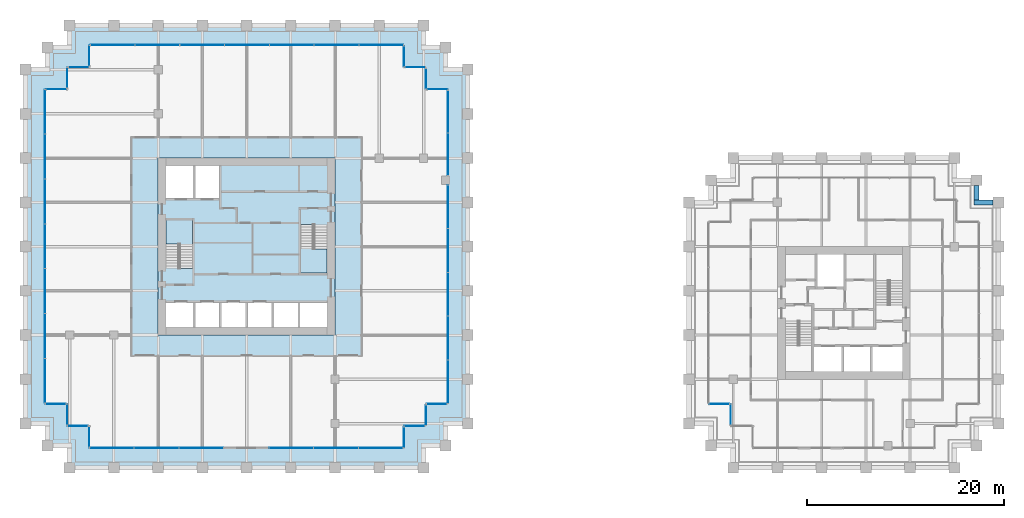
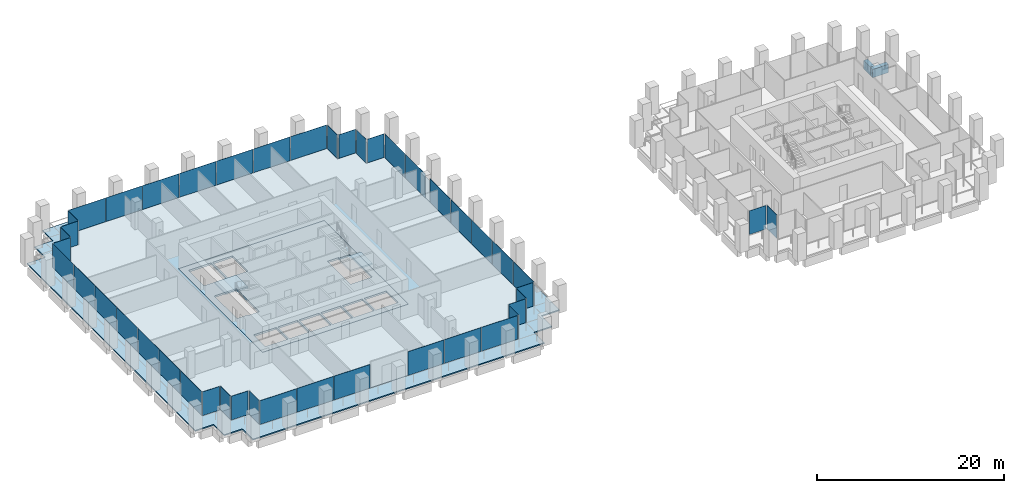
# One storey, part 48 of 56: 45 plates, 5 slabs, 2 beams, 26 elements without a shape of their own.
"""IFC4 building model written with IfcOpenShell, lengths in metres."""

from ifc_helpers import new_model, si_unit, direction, frame, origin, origin_2d, place, context, subcontext, project, spatial, polyline, rectangle, outline, extrude, material, layer, layer_set, material_profile, profile_set, type_object, element, aggregate, save


model = new_model("IFC4")

# Units and contexts
model_context = context("Model", 3, precision=1e-05, world=origin(), true_north=direction((0.0, 1.0)))
body_context = subcontext(model_context, "Body", "Model", "MODEL_VIEW")
ifc_project = project(units=[si_unit("LENGTHUNIT", "METRE"), si_unit("AREAUNIT", "SQUARE_METRE"), si_unit("VOLUMEUNIT", "CUBIC_METRE"), si_unit("PLANEANGLEUNIT", "RADIAN"), si_unit("MASSUNIT", "GRAM", prefix="KILO")], contexts=[model_context])

# Site, building, storey
site_placement = place(None, origin())
site = spatial("IfcSite", under=ifc_project, at=site_placement, CompositionType="ELEMENT")
building_placement = place(site_placement, origin())
building = spatial("IfcBuilding", under=site, at=building_placement, Name="Altepetl Exchange Towers", CompositionType="ELEMENT")
storey_placement = place(building_placement, frame((0.0, 0.0, 54.60009765625)))
storey = spatial("IfcBuildingStorey", under=building, at=storey_placement, Name="L12", CompositionType="ELEMENT", Elevation=54.60009765625)

# Beams
ifc_material_1 = material(Name="Concrete C50/60 precast with cantera amarilla facing", Category="concrete")
ifc_material_profile = material_profile(ifc_material_1, rectangle(XDim=0.5, YDim=1.10009765625, at=origin_2d()), Name="500 x 1100")
ifc_profile_set = profile_set([ifc_material_profile], Name="Concrete C50/60 precast with cantera amarilla facing")
beam_type = type_object("IfcBeamType", Name="Spandrel beam 500x1100 cantera amarilla", PredefinedType="SPANDREL", material=ifc_profile_set)
beam_1_placement = place(storey_placement, frame((125.449951171875, 54.0, -0.7001953125), z_axis=(-1.0, 0.0, 0.0), x_axis=(0.0, -1.0, 0.0)))
element("IfcBeam", 1, at=beam_1_placement, inside=storey, type_object=beam_type, Name="sp:B:L12:014", PredefinedType="SPANDREL", context=body_context, shape_type="SweptSolid", body=[
    extrude(rectangle(XDim=0.5, YDim=1.10009765625, at=origin_2d()), origin(), (0.0, 0.0, 1.0), 1.949951171875),
])
beam_2_placement = place(storey_placement, frame((123.75, 54.25, -0.7001953125), z_axis=(0.0, 1.0, 0.0), x_axis=(-1.0, 0.0, 0.0)))
element("IfcBeam", 2, at=beam_2_placement, inside=storey, type_object=beam_type, Name="sp:B:L12:015", PredefinedType="SPANDREL", context=body_context, shape_type="SweptSolid", body=[
    extrude(rectangle(XDim=0.5, YDim=1.10009765625, at=origin_2d()), origin(), (0.0, 0.0, 1.0), 1.449951171875),
])

# Slabs
ifc_material_2 = material(Name="Concrete C40/50", Category="concrete")
ifc_layer_1 = layer(ifc_material_2, 0.14990234375)
ifc_layer_set_1 = layer_set([ifc_layer_1], Name="Concrete C40/50")
slab_type_1 = type_object("IfcSlabType", Name="Composite floor slab 150", PredefinedType="FLOOR", material=ifc_layer_set_1)
slab_1_placement = place(storey_placement, frame((0.0, 0.0, -0.150146484375)))
element("IfcSlab", 3, at=slab_1_placement, inside=storey, type_object=slab_type_1, Name="slab:A:L12:strip0", PredefinedType="FLOOR", context=body_context, shape_type="SweptSolid", body=[
    extrude(outline(polyline([(31.25, 67.75), (31.25, 65.5), (29.0, 65.5), (29.0, 33.5), (31.25, 33.5), (31.25, 31.25), (33.5, 31.25), (33.5, 29.0), (65.5, 29.0), (65.5, 31.25), (67.75, 31.25), (67.75, 33.5), (70.0, 33.5), (70.0, 65.5), (67.75, 65.5), (67.75, 67.75), (65.5, 67.75), (65.5, 70.0), (33.5, 70.0), (33.5, 67.75), (31.25, 67.75)]), holes=[polyline([(58.5, 58.5), (58.5, 40.5), (40.5, 40.5), (40.5, 58.5), (58.5, 58.5)])]), origin(), (0.0, 0.0, 1.0), 0.150146484375),
])
ifc_layer_2 = layer(ifc_material_2, 0.25)
ifc_layer_set_2 = layer_set([ifc_layer_2], Name="Concrete C40/50")
slab_type_2 = type_object("IfcSlabType", Name="Core floor slab 250", PredefinedType="FLOOR", material=ifc_layer_set_2)
slab_2_placement = place(storey_placement, frame((0.0, 0.0, -0.25)))
element("IfcSlab", 4, at=slab_2_placement, inside=storey, type_object=slab_type_2, Name="slab:A:L12:core0", PredefinedType="FLOOR", context=body_context, shape_type="SweptSolid", body=[
    extrude(outline(polyline([(40.5, 40.5), (58.5, 40.5), (58.5, 58.5), (40.5, 58.5), (40.5, 40.5)]), holes=[polyline([(41.300048828125, 43.800048828125), (44.06689453125, 43.800048828125), (44.06689453125, 41.300048828125), (41.300048828125, 41.300048828125), (41.300048828125, 43.800048828125)]), polyline([(44.26708984375, 43.800048828125), (46.73291015625, 43.800048828125), (46.73291015625, 41.300048828125), (44.26708984375, 41.300048828125), (44.26708984375, 43.800048828125)]), polyline([(46.93310546875, 43.800048828125), (49.39990234375, 43.800048828125), (49.39990234375, 41.300048828125), (46.93310546875, 41.300048828125), (46.93310546875, 43.800048828125)]), polyline([(52.06689453125, 43.800048828125), (52.06689453125, 41.300048828125), (49.60009765625, 41.300048828125), (49.60009765625, 43.800048828125), (52.06689453125, 43.800048828125)]), polyline([(54.73291015625, 43.800048828125), (54.73291015625, 41.300048828125), (52.26708984375, 41.300048828125), (52.26708984375, 43.800048828125), (54.73291015625, 43.800048828125)]), polyline([(54.93310546875, 43.800048828125), (57.699951171875, 43.800048828125), (57.699951171875, 41.300048828125), (54.93310546875, 41.300048828125), (54.93310546875, 43.800048828125)]), polyline([(55.0, 51.7490234375), (56.39990234375, 51.7490234375), (56.39990234375, 51.64990234375), (57.699951171875, 51.64990234375), (57.699951171875, 46.800048828125), (55.0, 46.800048828125), (55.0, 51.7490234375)]), polyline([(44.0, 47.2509765625), (42.60009765625, 47.2509765625), (42.60009765625, 47.35009765625), (41.300048828125, 47.35009765625), (41.300048828125, 52.199951171875), (44.0, 52.199951171875), (44.0, 47.2509765625)]), polyline([(44.06689453125, 57.699951171875), (44.06689453125, 54.39990234375), (41.300048828125, 54.39990234375), (41.300048828125, 57.699951171875), (44.06689453125, 57.699951171875)]), polyline([(46.73291015625, 57.699951171875), (46.73291015625, 54.39990234375), (44.26708984375, 54.39990234375), (44.26708984375, 57.699951171875), (46.73291015625, 57.699951171875)])]), origin(), (0.0, 0.0, 1.0), 0.25),
])

# Curtain wall, plate
ifc_material_3 = material(Name="Aluminium 6063-T6 glazing", Category="aluminium")
curtain_wall_type = type_object("IfcCurtainWallType", Name="Loggia glazing system", PredefinedType="NOTDEFINED", material=ifc_material_3)
curtain_wall_1_placement = place(storey_placement, origin())
curtain_wall_1 = element("IfcCurtainWall", 5, at=curtain_wall_1_placement, inside=storey, type_object=curtain_wall_type, Name="CW1 run", PredefinedType="NOTDEFINED")
ifc_material_4 = material(Name="Glass 6-16-6 low emissivity", Category="glass")
ifc_layer_3 = layer(ifc_material_4, 0.028076171875)
ifc_layer_set_3 = layer_set([ifc_layer_3], Name="Glass 6-16-6 low emissivity")
plate_type = type_object("IfcPlateType", Name="Glass panel 28 double glazed", PredefinedType="CURTAIN_PANEL", material=ifc_layer_set_3)
plate_1_placement = place(storey_placement, frame((30.16259765625, 65.5, -0.000244140625), z_axis=(0.0, 0.0, 1.0), x_axis=(-1.0, 0.0, 0.0)))
plate_1 = element("IfcPlate", 6, at=plate_1_placement, type_object=plate_type, Name="GP1 panel", PredefinedType="CURTAIN_PANEL", context=body_context, shape_type="SweptSolid", body=[
    extrude(rectangle(XDim=2.054931640625, YDim=0.028076171875, at=origin_2d()), origin(), (0.0, 0.0, 1.0), 3.10009765625),
])
aggregate(curtain_wall_1, [plate_1])

# Curtain wall, plates
curtain_wall_2_placement = place(storey_placement, origin())
curtain_wall_2 = element("IfcCurtainWall", 7, at=curtain_wall_2_placement, inside=storey, type_object=curtain_wall_type, Name="CW1 run", PredefinedType="NOTDEFINED")
plate_2_placement = place(storey_placement, frame((29.0, 63.20458984375, -0.000244140625), z_axis=(0.0, 0.0, 1.0), x_axis=(0.0, -1.0, 0.0)))
plate_2 = element("IfcPlate", 8, at=plate_2_placement, type_object=plate_type, Name="GP1 panel", PredefinedType="CURTAIN_PANEL", context=body_context, shape_type="SweptSolid", body=[
    extrude(rectangle(XDim=4.470703125, YDim=0.028076171875, at=origin_2d()), origin(), (0.0, 0.0, 1.0), 3.10009765625),
])
plate_3_placement = place(storey_placement, frame((29.0, 58.658935546875, -0.000244140625), z_axis=(0.0, 0.0, 1.0), x_axis=(0.0, -1.0, 0.0)))
plate_3 = element("IfcPlate", 9, at=plate_3_placement, type_object=plate_type, Name="GP1 panel", PredefinedType="CURTAIN_PANEL", context=body_context, shape_type="SweptSolid", body=[
    extrude(rectangle(XDim=4.500732421875, YDim=0.028076171875, at=origin_2d()), origin(), (0.0, 0.0, 1.0), 3.10009765625),
])
plate_4_placement = place(storey_placement, frame((29.0, 54.09814453125, -0.000244140625), z_axis=(0.0, 0.0, 1.0), x_axis=(0.0, -1.0, 0.0)))
plate_4 = element("IfcPlate", 10, at=plate_4_placement, type_object=plate_type, Name="GP1 panel", PredefinedType="CURTAIN_PANEL", context=body_context, shape_type="SweptSolid", body=[
    extrude(rectangle(XDim=4.500732421875, YDim=0.028076171875, at=origin_2d()), origin(), (0.0, 0.0, 1.0), 3.10009765625),
])
plate_5_placement = place(storey_placement, frame((29.0, 49.53759765625, -0.000244140625), z_axis=(0.0, 0.0, 1.0), x_axis=(0.0, -1.0, 0.0)))
plate_5 = element("IfcPlate", 11, at=plate_5_placement, type_object=plate_type, Name="GP1 panel", PredefinedType="CURTAIN_PANEL", context=body_context, shape_type="SweptSolid", body=[
    extrude(rectangle(XDim=4.500732421875, YDim=0.028076171875, at=origin_2d()), origin(), (0.0, 0.0, 1.0), 3.10009765625),
])
plate_6_placement = place(storey_placement, frame((29.0, 44.976806640625, -0.000244140625), z_axis=(0.0, 0.0, 1.0), x_axis=(0.0, -1.0, 0.0)))
plate_6 = element("IfcPlate", 12, at=plate_6_placement, type_object=plate_type, Name="GP1 panel", PredefinedType="CURTAIN_PANEL", context=body_context, shape_type="SweptSolid", body=[
    extrude(rectangle(XDim=4.500732421875, YDim=0.028076171875, at=origin_2d()), origin(), (0.0, 0.0, 1.0), 3.10009765625),
])
plate_7_placement = place(storey_placement, frame((29.0, 40.416015625, -0.000244140625), z_axis=(0.0, 0.0, 1.0), x_axis=(0.0, -1.0, 0.0)))
plate_7 = element("IfcPlate", 13, at=plate_7_placement, type_object=plate_type, Name="GP1 panel", PredefinedType="CURTAIN_PANEL", context=body_context, shape_type="SweptSolid", body=[
    extrude(rectangle(XDim=4.500732421875, YDim=0.028076171875, at=origin_2d()), origin(), (0.0, 0.0, 1.0), 3.10009765625),
])
plate_8_placement = place(storey_placement, frame((29.0, 35.870361328125, -0.000244140625), z_axis=(0.0, 0.0, 1.0), x_axis=(0.0, -1.0, 0.0)))
plate_8 = element("IfcPlate", 14, at=plate_8_placement, type_object=plate_type, Name="GP1 panel", PredefinedType="CURTAIN_PANEL", context=body_context, shape_type="SweptSolid", body=[
    extrude(rectangle(XDim=4.470703125, YDim=0.028076171875, at=origin_2d()), origin(), (0.0, 0.0, 1.0), 3.10009765625),
])
aggregate(curtain_wall_2, [plate_2, plate_3, plate_4, plate_5, plate_6, plate_7, plate_8])

# Curtain wall, plate
curtain_wall_3_placement = place(storey_placement, origin())
curtain_wall_3 = element("IfcCurtainWall", 15, at=curtain_wall_3_placement, inside=storey, type_object=curtain_wall_type, Name="CW1 run", PredefinedType="NOTDEFINED")
plate_9_placement = place(storey_placement, frame((30.08740234375, 33.5, -0.000244140625)))
plate_9 = element("IfcPlate", 16, at=plate_9_placement, type_object=plate_type, Name="GP1 panel", PredefinedType="CURTAIN_PANEL", context=body_context, shape_type="SweptSolid", body=[
    extrude(rectangle(XDim=2.054931640625, YDim=0.028076171875, at=origin_2d()), origin(), (0.0, 0.0, 1.0), 3.10009765625),
])
aggregate(curtain_wall_3, [plate_9])

curtain_wall_4_placement = place(storey_placement, origin())
curtain_wall_4 = element("IfcCurtainWall", 17, at=curtain_wall_4_placement, inside=storey, type_object=curtain_wall_type, Name="CW1 run", PredefinedType="NOTDEFINED")
plate_10_placement = place(storey_placement, frame((31.25, 32.41259765625, -0.000244140625), z_axis=(0.0, 0.0, 1.0), x_axis=(0.0, -1.0, 0.0)))
plate_10 = element("IfcPlate", 18, at=plate_10_placement, type_object=plate_type, Name="GP1 panel", PredefinedType="CURTAIN_PANEL", context=body_context, shape_type="SweptSolid", body=[
    extrude(rectangle(XDim=2.054931640625, YDim=0.028076171875, at=origin_2d()), origin(), (0.0, 0.0, 1.0), 3.10009765625),
])
aggregate(curtain_wall_4, [plate_10])

curtain_wall_5_placement = place(storey_placement, origin())
curtain_wall_5 = element("IfcCurtainWall", 19, at=curtain_wall_5_placement, inside=storey, type_object=curtain_wall_type, Name="CW1 run", PredefinedType="NOTDEFINED")
plate_11_placement = place(storey_placement, frame((32.33740234375, 31.25, -0.000244140625)))
plate_11 = element("IfcPlate", 20, at=plate_11_placement, type_object=plate_type, Name="GP1 panel", PredefinedType="CURTAIN_PANEL", context=body_context, shape_type="SweptSolid", body=[
    extrude(rectangle(XDim=2.054931640625, YDim=0.028076171875, at=origin_2d()), origin(), (0.0, 0.0, 1.0), 3.10009765625),
])
aggregate(curtain_wall_5, [plate_11])

curtain_wall_6_placement = place(storey_placement, origin())
curtain_wall_6 = element("IfcCurtainWall", 21, at=curtain_wall_6_placement, inside=storey, type_object=curtain_wall_type, Name="CW1 run", PredefinedType="NOTDEFINED")
plate_12_placement = place(storey_placement, frame((33.5, 30.16259765625, -0.000244140625), z_axis=(0.0, 0.0, 1.0), x_axis=(0.0, -1.0, 0.0)))
plate_12 = element("IfcPlate", 22, at=plate_12_placement, type_object=plate_type, Name="GP1 panel", PredefinedType="CURTAIN_PANEL", context=body_context, shape_type="SweptSolid", body=[
    extrude(rectangle(XDim=2.054931640625, YDim=0.028076171875, at=origin_2d()), origin(), (0.0, 0.0, 1.0), 3.10009765625),
])
aggregate(curtain_wall_6, [plate_12])

# Curtain wall, plates
curtain_wall_7_placement = place(storey_placement, origin())
curtain_wall_7 = element("IfcCurtainWall", 23, at=curtain_wall_7_placement, inside=storey, type_object=curtain_wall_type, Name="CW1 run", PredefinedType="NOTDEFINED")
plate_13_placement = place(storey_placement, frame((35.79541015625, 29.0, -0.000244140625)))
plate_13 = element("IfcPlate", 24, at=plate_13_placement, type_object=plate_type, Name="GP1 panel", PredefinedType="CURTAIN_PANEL", context=body_context, shape_type="SweptSolid", body=[
    extrude(rectangle(XDim=4.470703125, YDim=0.028076171875, at=origin_2d()), origin(), (0.0, 0.0, 1.0), 3.10009765625),
])
plate_14_placement = place(storey_placement, frame((40.341064453125, 29.0, -0.000244140625)))
plate_14 = element("IfcPlate", 25, at=plate_14_placement, type_object=plate_type, Name="GP1 panel", PredefinedType="CURTAIN_PANEL", context=body_context, shape_type="SweptSolid", body=[
    extrude(rectangle(XDim=4.500732421875, YDim=0.028076171875, at=origin_2d()), origin(), (0.0, 0.0, 1.0), 3.10009765625),
])
plate_15_placement = place(storey_placement, frame((44.88671875, 29.0, -0.000244140625)))
plate_15 = element("IfcPlate", 26, at=plate_15_placement, type_object=plate_type, Name="GP1 panel", PredefinedType="CURTAIN_PANEL", context=body_context, shape_type="SweptSolid", body=[
    extrude(rectangle(XDim=4.470703125, YDim=0.028076171875, at=origin_2d()), origin(), (0.0, 0.0, 1.0), 3.10009765625),
])
aggregate(curtain_wall_7, [plate_13, plate_14, plate_15])

curtain_wall_8_placement = place(storey_placement, origin())
curtain_wall_8 = element("IfcCurtainWall", 27, at=curtain_wall_8_placement, inside=storey, type_object=curtain_wall_type, Name="CW1 run", PredefinedType="NOTDEFINED")
plate_16_placement = place(storey_placement, frame((54.038330078125, 29.0, -0.000244140625)))
plate_16 = element("IfcPlate", 28, at=plate_16_placement, type_object=plate_type, Name="GP1 panel", PredefinedType="CURTAIN_PANEL", context=body_context, shape_type="SweptSolid", body=[
    extrude(rectangle(XDim=4.470703125, YDim=0.028076171875, at=origin_2d()), origin(), (0.0, 0.0, 1.0), 3.10009765625),
])
plate_17_placement = place(storey_placement, frame((58.583984375, 29.0, -0.000244140625)))
plate_17 = element("IfcPlate", 29, at=plate_17_placement, type_object=plate_type, Name="GP1 panel", PredefinedType="CURTAIN_PANEL", context=body_context, shape_type="SweptSolid", body=[
    extrude(rectangle(XDim=4.500732421875, YDim=0.028076171875, at=origin_2d()), origin(), (0.0, 0.0, 1.0), 3.10009765625),
])
plate_18_placement = place(storey_placement, frame((63.129638671875, 29.0, -0.000244140625)))
plate_18 = element("IfcPlate", 30, at=plate_18_placement, type_object=plate_type, Name="GP1 panel", PredefinedType="CURTAIN_PANEL", context=body_context, shape_type="SweptSolid", body=[
    extrude(rectangle(XDim=4.470703125, YDim=0.028076171875, at=origin_2d()), origin(), (0.0, 0.0, 1.0), 3.10009765625),
])
aggregate(curtain_wall_8, [plate_16, plate_17, plate_18])

# Curtain wall, plate
curtain_wall_9_placement = place(storey_placement, origin())
curtain_wall_9 = element("IfcCurtainWall", 31, at=curtain_wall_9_placement, inside=storey, type_object=curtain_wall_type, Name="CW1 run", PredefinedType="NOTDEFINED")
plate_19_placement = place(storey_placement, frame((65.5, 30.08740234375, -0.000244140625), z_axis=(0.0, 0.0, 1.0), x_axis=(0.0, 1.0, 0.0)))
plate_19 = element("IfcPlate", 32, at=plate_19_placement, type_object=plate_type, Name="GP1 panel", PredefinedType="CURTAIN_PANEL", context=body_context, shape_type="SweptSolid", body=[
    extrude(rectangle(XDim=2.054931640625, YDim=0.028076171875, at=origin_2d()), origin(), (0.0, 0.0, 1.0), 3.10009765625),
])
aggregate(curtain_wall_9, [plate_19])

curtain_wall_10_placement = place(storey_placement, origin())
curtain_wall_10 = element("IfcCurtainWall", 33, at=curtain_wall_10_placement, inside=storey, type_object=curtain_wall_type, Name="CW1 run", PredefinedType="NOTDEFINED")
plate_20_placement = place(storey_placement, frame((66.58740234375, 31.25, -0.000244140625)))
plate_20 = element("IfcPlate", 34, at=plate_20_placement, type_object=plate_type, Name="GP1 panel", PredefinedType="CURTAIN_PANEL", context=body_context, shape_type="SweptSolid", body=[
    extrude(rectangle(XDim=2.054931640625, YDim=0.028076171875, at=origin_2d()), origin(), (0.0, 0.0, 1.0), 3.10009765625),
])
aggregate(curtain_wall_10, [plate_20])

curtain_wall_11_placement = place(storey_placement, origin())
curtain_wall_11 = element("IfcCurtainWall", 35, at=curtain_wall_11_placement, inside=storey, type_object=curtain_wall_type, Name="CW1 run", PredefinedType="NOTDEFINED")
plate_21_placement = place(storey_placement, frame((67.75, 32.33740234375, -0.000244140625), z_axis=(0.0, 0.0, 1.0), x_axis=(0.0, 1.0, 0.0)))
plate_21 = element("IfcPlate", 36, at=plate_21_placement, type_object=plate_type, Name="GP1 panel", PredefinedType="CURTAIN_PANEL", context=body_context, shape_type="SweptSolid", body=[
    extrude(rectangle(XDim=2.054931640625, YDim=0.028076171875, at=origin_2d()), origin(), (0.0, 0.0, 1.0), 3.10009765625),
])
aggregate(curtain_wall_11, [plate_21])

curtain_wall_12_placement = place(storey_placement, origin())
curtain_wall_12 = element("IfcCurtainWall", 37, at=curtain_wall_12_placement, inside=storey, type_object=curtain_wall_type, Name="CW1 run", PredefinedType="NOTDEFINED")
plate_22_placement = place(storey_placement, frame((68.83740234375, 33.5, -0.000244140625)))
plate_22 = element("IfcPlate", 38, at=plate_22_placement, type_object=plate_type, Name="GP1 panel", PredefinedType="CURTAIN_PANEL", context=body_context, shape_type="SweptSolid", body=[
    extrude(rectangle(XDim=2.054931640625, YDim=0.028076171875, at=origin_2d()), origin(), (0.0, 0.0, 1.0), 3.10009765625),
])
aggregate(curtain_wall_12, [plate_22])

# Curtain wall, plates
curtain_wall_13_placement = place(storey_placement, origin())
curtain_wall_13 = element("IfcCurtainWall", 39, at=curtain_wall_13_placement, inside=storey, type_object=curtain_wall_type, Name="CW1 run", PredefinedType="NOTDEFINED")
plate_23_placement = place(storey_placement, frame((70.0, 35.74560546875, -0.000244140625), z_axis=(0.0, 0.0, 1.0), x_axis=(0.0, 1.0, 0.0)))
plate_23 = element("IfcPlate", 40, at=plate_23_placement, type_object=plate_type, Name="GP1 panel", PredefinedType="CURTAIN_PANEL", context=body_context, shape_type="SweptSolid", body=[
    extrude(rectangle(XDim=4.37109375, YDim=0.028076171875, at=origin_2d()), origin(), (0.0, 0.0, 1.0), 3.10009765625),
])
plate_24_placement = place(storey_placement, frame((70.0, 40.19140625, -0.000244140625), z_axis=(0.0, 0.0, 1.0), x_axis=(0.0, 1.0, 0.0)))
plate_24 = element("IfcPlate", 41, at=plate_24_placement, type_object=plate_type, Name="GP1 panel", PredefinedType="CURTAIN_PANEL", context=body_context, shape_type="SweptSolid", body=[
    extrude(rectangle(XDim=4.40087890625, YDim=0.028076171875, at=origin_2d()), origin(), (0.0, 0.0, 1.0), 3.10009765625),
])
plate_25_placement = place(storey_placement, frame((70.0, 44.652587890625, -0.000244140625), z_axis=(0.0, 0.0, 1.0), x_axis=(0.0, 1.0, 0.0)))
plate_25 = element("IfcPlate", 42, at=plate_25_placement, type_object=plate_type, Name="GP1 panel", PredefinedType="CURTAIN_PANEL", context=body_context, shape_type="SweptSolid", body=[
    extrude(rectangle(XDim=4.40087890625, YDim=0.028076171875, at=origin_2d()), origin(), (0.0, 0.0, 1.0), 3.10009765625),
])
plate_26_placement = place(storey_placement, frame((70.0, 49.113525390625, -0.000244140625), z_axis=(0.0, 0.0, 1.0), x_axis=(0.0, 1.0, 0.0)))
plate_26 = element("IfcPlate", 43, at=plate_26_placement, type_object=plate_type, Name="GP1 panel", PredefinedType="CURTAIN_PANEL", context=body_context, shape_type="SweptSolid", body=[
    extrude(rectangle(XDim=4.40087890625, YDim=0.028076171875, at=origin_2d()), origin(), (0.0, 0.0, 1.0), 3.10009765625),
])
plate_27_placement = place(storey_placement, frame((70.0, 53.5595703125, -0.000244140625), z_axis=(0.0, 0.0, 1.0), x_axis=(0.0, 1.0, 0.0)))
plate_27 = element("IfcPlate", 44, at=plate_27_placement, type_object=plate_type, Name="GP1 panel", PredefinedType="CURTAIN_PANEL", context=body_context, shape_type="SweptSolid", body=[
    extrude(rectangle(XDim=4.37109375, YDim=0.028076171875, at=origin_2d()), origin(), (0.0, 0.0, 1.0), 3.10009765625),
])
aggregate(curtain_wall_13, [plate_23, plate_24, plate_25, plate_26, plate_27])

curtain_wall_14_placement = place(storey_placement, origin())
curtain_wall_14 = element("IfcCurtainWall", 45, at=curtain_wall_14_placement, inside=storey, type_object=curtain_wall_type, Name="CW1 run", PredefinedType="NOTDEFINED")
plate_28_placement = place(storey_placement, frame((70.0, 58.892578125, -0.000244140625), z_axis=(0.0, 0.0, 1.0), x_axis=(0.0, 1.0, 0.0)))
plate_28 = element("IfcPlate", 46, at=plate_28_placement, type_object=plate_type, Name="GP1 panel", PredefinedType="CURTAIN_PANEL", context=body_context, shape_type="SweptSolid", body=[
    extrude(rectangle(XDim=4.27490234375, YDim=0.028076171875, at=origin_2d()), origin(), (0.0, 0.0, 1.0), 3.10009765625),
])
plate_29_placement = place(storey_placement, frame((70.0, 63.2275390625, -0.000244140625), z_axis=(0.0, 0.0, 1.0), x_axis=(0.0, 1.0, 0.0)))
plate_29 = element("IfcPlate", 47, at=plate_29_placement, type_object=plate_type, Name="GP1 panel", PredefinedType="CURTAIN_PANEL", context=body_context, shape_type="SweptSolid", body=[
    extrude(rectangle(XDim=4.27490234375, YDim=0.028076171875, at=origin_2d()), origin(), (0.0, 0.0, 1.0), 3.10009765625),
])
aggregate(curtain_wall_14, [plate_28, plate_29])

# Curtain wall, plate
curtain_wall_15_placement = place(storey_placement, origin())
curtain_wall_15 = element("IfcCurtainWall", 48, at=curtain_wall_15_placement, inside=storey, type_object=curtain_wall_type, Name="CW1 run", PredefinedType="NOTDEFINED")
plate_30_placement = place(storey_placement, frame((68.91259765625, 65.5, -0.000244140625), z_axis=(0.0, 0.0, 1.0), x_axis=(-1.0, 0.0, 0.0)))
plate_30 = element("IfcPlate", 49, at=plate_30_placement, type_object=plate_type, Name="GP1 panel", PredefinedType="CURTAIN_PANEL", context=body_context, shape_type="SweptSolid", body=[
    extrude(rectangle(XDim=2.054931640625, YDim=0.028076171875, at=origin_2d()), origin(), (0.0, 0.0, 1.0), 3.10009765625),
])
aggregate(curtain_wall_15, [plate_30])

curtain_wall_16_placement = place(storey_placement, origin())
curtain_wall_16 = element("IfcCurtainWall", 50, at=curtain_wall_16_placement, inside=storey, type_object=curtain_wall_type, Name="CW1 run", PredefinedType="NOTDEFINED")
plate_31_placement = place(storey_placement, frame((67.75, 66.58740234375, -0.000244140625), z_axis=(0.0, 0.0, 1.0), x_axis=(0.0, 1.0, 0.0)))
plate_31 = element("IfcPlate", 51, at=plate_31_placement, type_object=plate_type, Name="GP1 panel", PredefinedType="CURTAIN_PANEL", context=body_context, shape_type="SweptSolid", body=[
    extrude(rectangle(XDim=2.054931640625, YDim=0.028076171875, at=origin_2d()), origin(), (0.0, 0.0, 1.0), 3.10009765625),
])
aggregate(curtain_wall_16, [plate_31])

curtain_wall_17_placement = place(storey_placement, origin())
curtain_wall_17 = element("IfcCurtainWall", 52, at=curtain_wall_17_placement, inside=storey, type_object=curtain_wall_type, Name="CW1 run", PredefinedType="NOTDEFINED")
plate_32_placement = place(storey_placement, frame((66.66259765625, 67.75, -0.000244140625), z_axis=(0.0, 0.0, 1.0), x_axis=(-1.0, 0.0, 0.0)))
plate_32 = element("IfcPlate", 53, at=plate_32_placement, type_object=plate_type, Name="GP1 panel", PredefinedType="CURTAIN_PANEL", context=body_context, shape_type="SweptSolid", body=[
    extrude(rectangle(XDim=2.054931640625, YDim=0.028076171875, at=origin_2d()), origin(), (0.0, 0.0, 1.0), 3.10009765625),
])
aggregate(curtain_wall_17, [plate_32])

curtain_wall_18_placement = place(storey_placement, origin())
curtain_wall_18 = element("IfcCurtainWall", 54, at=curtain_wall_18_placement, inside=storey, type_object=curtain_wall_type, Name="CW1 run", PredefinedType="NOTDEFINED")
plate_33_placement = place(storey_placement, frame((65.5, 68.83740234375, -0.000244140625), z_axis=(0.0, 0.0, 1.0), x_axis=(0.0, 1.0, 0.0)))
plate_33 = element("IfcPlate", 55, at=plate_33_placement, type_object=plate_type, Name="GP1 panel", PredefinedType="CURTAIN_PANEL", context=body_context, shape_type="SweptSolid", body=[
    extrude(rectangle(XDim=2.054931640625, YDim=0.028076171875, at=origin_2d()), origin(), (0.0, 0.0, 1.0), 3.10009765625),
])
aggregate(curtain_wall_18, [plate_33])

# Curtain wall, plates
curtain_wall_19_placement = place(storey_placement, origin())
curtain_wall_19 = element("IfcCurtainWall", 56, at=curtain_wall_19_placement, inside=storey, type_object=curtain_wall_type, Name="CW1 run", PredefinedType="NOTDEFINED")
plate_34_placement = place(storey_placement, frame((63.20458984375, 70.0, -0.000244140625), z_axis=(0.0, 0.0, 1.0), x_axis=(-1.0, 0.0, 0.0)))
plate_34 = element("IfcPlate", 57, at=plate_34_placement, type_object=plate_type, Name="GP1 panel", PredefinedType="CURTAIN_PANEL", context=body_context, shape_type="SweptSolid", body=[
    extrude(rectangle(XDim=4.470703125, YDim=0.028076171875, at=origin_2d()), origin(), (0.0, 0.0, 1.0), 3.10009765625),
])
plate_35_placement = place(storey_placement, frame((58.658935546875, 70.0, -0.000244140625), z_axis=(0.0, 0.0, 1.0), x_axis=(-1.0, 0.0, 0.0)))
plate_35 = element("IfcPlate", 58, at=plate_35_placement, type_object=plate_type, Name="GP1 panel", PredefinedType="CURTAIN_PANEL", context=body_context, shape_type="SweptSolid", body=[
    extrude(rectangle(XDim=4.500732421875, YDim=0.028076171875, at=origin_2d()), origin(), (0.0, 0.0, 1.0), 3.10009765625),
])
plate_36_placement = place(storey_placement, frame((54.09814453125, 70.0, -0.000244140625), z_axis=(0.0, 0.0, 1.0), x_axis=(-1.0, 0.0, 0.0)))
plate_36 = element("IfcPlate", 59, at=plate_36_placement, type_object=plate_type, Name="GP1 panel", PredefinedType="CURTAIN_PANEL", context=body_context, shape_type="SweptSolid", body=[
    extrude(rectangle(XDim=4.500732421875, YDim=0.028076171875, at=origin_2d()), origin(), (0.0, 0.0, 1.0), 3.10009765625),
])
plate_37_placement = place(storey_placement, frame((49.53759765625, 70.0, -0.000244140625), z_axis=(0.0, 0.0, 1.0), x_axis=(-1.0, 0.0, 0.0)))
plate_37 = element("IfcPlate", 60, at=plate_37_placement, type_object=plate_type, Name="GP1 panel", PredefinedType="CURTAIN_PANEL", context=body_context, shape_type="SweptSolid", body=[
    extrude(rectangle(XDim=4.500732421875, YDim=0.028076171875, at=origin_2d()), origin(), (0.0, 0.0, 1.0), 3.10009765625),
])
plate_38_placement = place(storey_placement, frame((44.976806640625, 70.0, -0.000244140625), z_axis=(0.0, 0.0, 1.0), x_axis=(-1.0, 0.0, 0.0)))
plate_38 = element("IfcPlate", 61, at=plate_38_placement, type_object=plate_type, Name="GP1 panel", PredefinedType="CURTAIN_PANEL", context=body_context, shape_type="SweptSolid", body=[
    extrude(rectangle(XDim=4.500732421875, YDim=0.028076171875, at=origin_2d()), origin(), (0.0, 0.0, 1.0), 3.10009765625),
])
plate_39_placement = place(storey_placement, frame((40.416015625, 70.0, -0.000244140625), z_axis=(0.0, 0.0, 1.0), x_axis=(-1.0, 0.0, 0.0)))
plate_39 = element("IfcPlate", 62, at=plate_39_placement, type_object=plate_type, Name="GP1 panel", PredefinedType="CURTAIN_PANEL", context=body_context, shape_type="SweptSolid", body=[
    extrude(rectangle(XDim=4.500732421875, YDim=0.028076171875, at=origin_2d()), origin(), (0.0, 0.0, 1.0), 3.10009765625),
])
plate_40_placement = place(storey_placement, frame((35.870361328125, 70.0, -0.000244140625), z_axis=(0.0, 0.0, 1.0), x_axis=(-1.0, 0.0, 0.0)))
plate_40 = element("IfcPlate", 63, at=plate_40_placement, type_object=plate_type, Name="GP1 panel", PredefinedType="CURTAIN_PANEL", context=body_context, shape_type="SweptSolid", body=[
    extrude(rectangle(XDim=4.470703125, YDim=0.028076171875, at=origin_2d()), origin(), (0.0, 0.0, 1.0), 3.10009765625),
])
aggregate(curtain_wall_19, [plate_34, plate_35, plate_36, plate_37, plate_38, plate_39, plate_40])

# Curtain wall, plate
curtain_wall_20_placement = place(storey_placement, origin())
curtain_wall_20 = element("IfcCurtainWall", 64, at=curtain_wall_20_placement, inside=storey, type_object=curtain_wall_type, Name="CW1 run", PredefinedType="NOTDEFINED")
plate_41_placement = place(storey_placement, frame((33.5, 68.91259765625, -0.000244140625), z_axis=(0.0, 0.0, 1.0), x_axis=(0.0, -1.0, 0.0)))
plate_41 = element("IfcPlate", 65, at=plate_41_placement, type_object=plate_type, Name="GP1 panel", PredefinedType="CURTAIN_PANEL", context=body_context, shape_type="SweptSolid", body=[
    extrude(rectangle(XDim=2.054931640625, YDim=0.028076171875, at=origin_2d()), origin(), (0.0, 0.0, 1.0), 3.10009765625),
])
aggregate(curtain_wall_20, [plate_41])

curtain_wall_21_placement = place(storey_placement, origin())
curtain_wall_21 = element("IfcCurtainWall", 66, at=curtain_wall_21_placement, inside=storey, type_object=curtain_wall_type, Name="CW1 run", PredefinedType="NOTDEFINED")
plate_42_placement = place(storey_placement, frame((32.41259765625, 67.75, -0.000244140625), z_axis=(0.0, 0.0, 1.0), x_axis=(-1.0, 0.0, 0.0)))
plate_42 = element("IfcPlate", 67, at=plate_42_placement, type_object=plate_type, Name="GP1 panel", PredefinedType="CURTAIN_PANEL", context=body_context, shape_type="SweptSolid", body=[
    extrude(rectangle(XDim=2.054931640625, YDim=0.028076171875, at=origin_2d()), origin(), (0.0, 0.0, 1.0), 3.10009765625),
])
aggregate(curtain_wall_21, [plate_42])

curtain_wall_22_placement = place(storey_placement, origin())
curtain_wall_22 = element("IfcCurtainWall", 68, at=curtain_wall_22_placement, inside=storey, type_object=curtain_wall_type, Name="CW1 run", PredefinedType="NOTDEFINED")
plate_43_placement = place(storey_placement, frame((31.25, 66.66259765625, -0.000244140625), z_axis=(0.0, 0.0, 1.0), x_axis=(0.0, -1.0, 0.0)))
plate_43 = element("IfcPlate", 69, at=plate_43_placement, type_object=plate_type, Name="GP1 panel", PredefinedType="CURTAIN_PANEL", context=body_context, shape_type="SweptSolid", body=[
    extrude(rectangle(XDim=2.054931640625, YDim=0.028076171875, at=origin_2d()), origin(), (0.0, 0.0, 1.0), 3.10009765625),
])
aggregate(curtain_wall_22, [plate_43])

curtain_wall_23_placement = place(storey_placement, origin())
curtain_wall_23 = element("IfcCurtainWall", 70, at=curtain_wall_23_placement, inside=storey, type_object=curtain_wall_type, Name="CW1 run", PredefinedType="NOTDEFINED")
plate_44_placement = place(storey_placement, frame((97.58740234375, 33.5, -0.000244140625)))
plate_44 = element("IfcPlate", 71, at=plate_44_placement, type_object=plate_type, Name="GP1 panel", PredefinedType="CURTAIN_PANEL", context=body_context, shape_type="SweptSolid", body=[
    extrude(rectangle(XDim=2.054931640625, YDim=0.028076171875, at=origin_2d()), origin(), (0.0, 0.0, 1.0), 3.10009765625),
])
aggregate(curtain_wall_23, [plate_44])

curtain_wall_24_placement = place(storey_placement, origin())
curtain_wall_24 = element("IfcCurtainWall", 72, at=curtain_wall_24_placement, inside=storey, type_object=curtain_wall_type, Name="CW1 run", PredefinedType="NOTDEFINED")
plate_45_placement = place(storey_placement, frame((98.75, 32.41259765625, -0.000244140625), z_axis=(0.0, 0.0, 1.0), x_axis=(0.0, -1.0, 0.0)))
plate_45 = element("IfcPlate", 73, at=plate_45_placement, type_object=plate_type, Name="GP1 panel", PredefinedType="CURTAIN_PANEL", context=body_context, shape_type="SweptSolid", body=[
    extrude(rectangle(XDim=2.054931640625, YDim=0.028076171875, at=origin_2d()), origin(), (0.0, 0.0, 1.0), 3.10009765625),
])
aggregate(curtain_wall_24, [plate_45])

# Slab
ifc_layer_4 = layer(ifc_material_2, 0.14990234375)
ifc_layer_set_4 = layer_set([ifc_layer_4], Name="Concrete C40/50")
slab_type_3 = type_object("IfcSlabType", Name="Loggia slab 150", PredefinedType="FLOOR", material=ifc_layer_set_4)
slab_3_placement = place(storey_placement, frame((0.0, 0.0, -0.150146484375)))
element("IfcSlab", 74, at=slab_3_placement, inside=storey, type_object=slab_type_3, Name="slab:A:L12:loggia0", PredefinedType="FLOOR", context=body_context, shape_type="SweptSolid", body=[
    extrude(outline(polyline([(29.25, 67.5), (27.0, 67.5), (27.0, 40.5), (27.0, 31.5), (29.25, 31.5), (29.25, 29.25), (31.5, 29.25), (31.5, 27.0), (58.5, 27.0), (67.5, 27.0), (67.5, 29.25), (69.75, 29.25), (69.75, 31.5), (72.0, 31.5), (72.0, 58.5), (72.0, 67.5), (69.75, 67.5), (69.75, 69.75), (67.5, 69.75), (67.5, 72.0), (40.5, 72.0), (31.5, 72.0), (31.5, 69.75), (29.25, 69.75), (29.25, 67.5)]), holes=[polyline([(29.0, 65.5), (31.25, 65.5), (31.25, 67.75), (33.5, 67.75), (33.5, 70.0), (65.5, 70.0), (65.5, 67.75), (67.75, 67.75), (67.75, 65.5), (70.0, 65.5), (70.0, 33.5), (67.75, 33.5), (67.75, 31.25), (65.5, 31.25), (65.5, 29.0), (33.5, 29.0), (33.5, 31.25), (31.25, 31.25), (31.25, 33.5), (29.0, 33.5), (29.0, 65.5)])]), origin(), (0.0, 0.0, 1.0), 0.150146484375),
])

# Stair, slab
stair_type = type_object("IfcStairType", Name="Exit stair 1300 flights dogleg", PredefinedType="HALF_TURN_STAIR", material=ifc_material_2)
stair_1_placement = place(storey_placement, origin())
stair_1 = element("IfcStair", 75, at=stair_1_placement, inside=storey, type_object=stair_type, Name="Exit stair 1", PredefinedType="HALF_TURN_STAIR")
ifc_layer_5 = layer(ifc_material_2, 0.199951171875)
ifc_layer_set_5 = layer_set([ifc_layer_5], Name="Concrete C40/50")
slab_type_4 = type_object("IfcSlabType", Name="Stair landing 200 reinforced concrete", PredefinedType="LANDING", material=ifc_layer_set_5)
slab_4_placement = place(storey_placement, frame((0.0, 0.0, 1.599853515625)))
slab_4 = element("IfcSlab", 76, at=slab_4_placement, type_object=slab_type_4, Name="ST-A1c landing 1", PredefinedType="LANDING", context=body_context, shape_type="SweptSolid", body=[
    extrude(outline(polyline([(44.0, 49.669921875), (42.699951171875, 49.669921875), (42.699951171875, 49.77001953125), (42.60009765625, 49.77001953125), (42.60009765625, 49.769287109375), (41.300048828125, 49.769287109375), (41.300048828125, 49.77001953125), (41.300048828125, 52.199951171875), (44.0, 52.199951171875), (44.0, 49.77001953125), (44.0, 49.669921875)])), origin(), (0.0, 0.0, 1.0), 0.199951171875),
])
aggregate(stair_1, [slab_4])

stair_2_placement = place(storey_placement, origin())
stair_2 = element("IfcStair", 77, at=stair_2_placement, inside=storey, type_object=stair_type, Name="Exit stair 2", PredefinedType="HALF_TURN_STAIR")
slab_5_placement = place(storey_placement, frame((0.0, 0.0, 1.599853515625)))
slab_5 = element("IfcSlab", 78, at=slab_5_placement, type_object=slab_type_4, Name="ST-A2c landing 1", PredefinedType="LANDING", context=body_context, shape_type="SweptSolid", body=[
    extrude(outline(polyline([(57.699951171875, 46.800048828125), (55.0, 46.800048828125), (55.0, 49.22998046875), (55.0, 49.330078125), (56.300048828125, 49.330078125), (56.300048828125, 49.22998046875), (56.39990234375, 49.22998046875), (56.39990234375, 49.230712890625), (57.699951171875, 49.230712890625), (57.699951171875, 49.22998046875), (57.699951171875, 46.800048828125)])), origin(), (0.0, 0.0, 1.0), 0.199951171875),
])
aggregate(stair_2, [slab_5])

save(model, "model.ifc")
